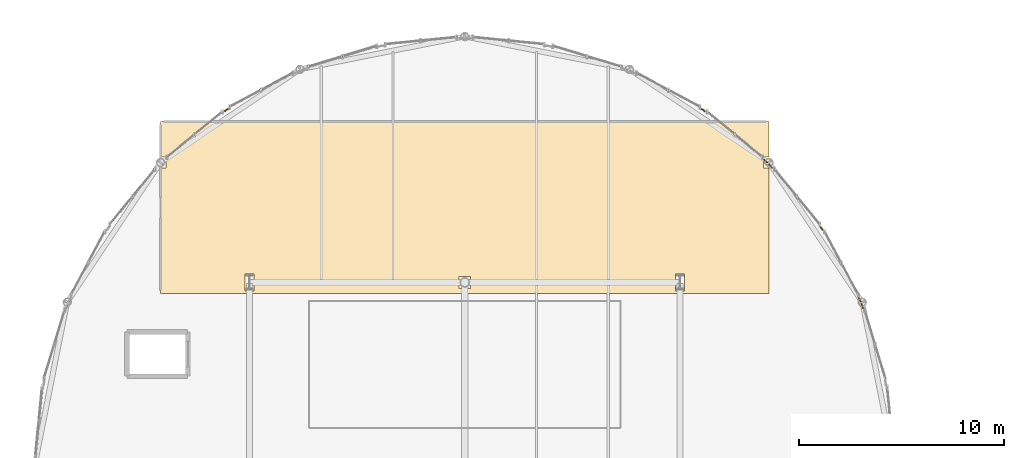
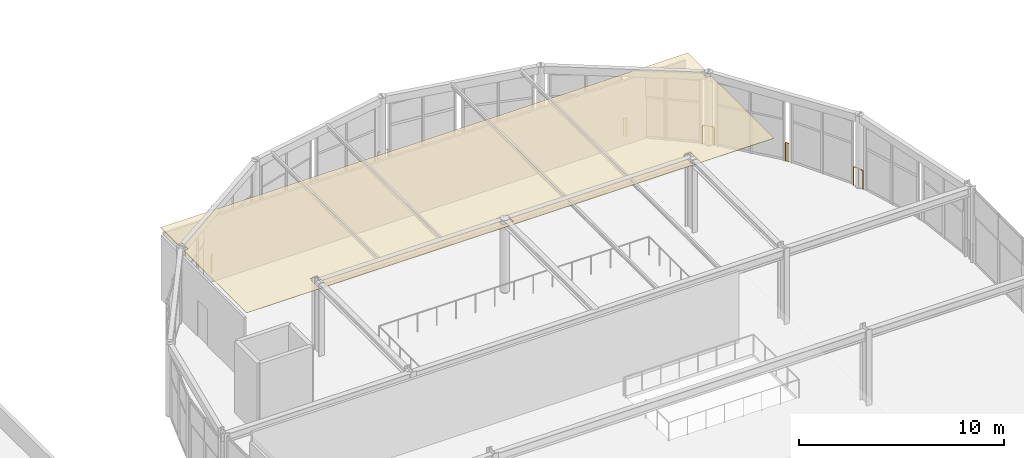
# One storey, part 95 of 105: 5 railings, 1 covering.
"""IFC4 building model written with IfcOpenShell, lengths in metres."""

from ifc_helpers import new_model, si_unit, direction, frame, origin, origin_2d, place, context, subcontext, project, spatial, polyline, circle, outline, extrude, material, layer, layer_set, type_object, element, save


model = new_model("IFC4")

# Units and contexts
model_context = context("Model", 3, precision=1e-05, world=origin(), true_north=direction((0.0, 1.0)))
body_context = subcontext(model_context, "Body", "Model", "MODEL_VIEW")
ifc_project = project(units=[si_unit("LENGTHUNIT", "METRE"), si_unit("AREAUNIT", "SQUARE_METRE"), si_unit("VOLUMEUNIT", "CUBIC_METRE"), si_unit("PLANEANGLEUNIT", "RADIAN"), si_unit("MASSUNIT", "GRAM", prefix="KILO")], contexts=[model_context])

# Site, building, storey
site_placement = place(None, origin())
site = spatial("IfcSite", under=ifc_project, at=site_placement, CompositionType="ELEMENT")
building_placement = place(site_placement, origin())
building = spatial("IfcBuilding", under=site, at=building_placement, Name="Marlcrest Central Station", CompositionType="ELEMENT")
storey_placement = place(building_placement, frame((0.0, 0.0, 15.0)))
storey = spatial("IfcBuildingStorey", under=building, at=storey_placement, Name="L03", CompositionType="ELEMENT", Elevation=15.0)

# Covering
ifc_material_1 = material(Name="Perforated acoustic mineral-fibre ceiling")
ifc_layer = layer(ifc_material_1, 0.02490234375, Name="CV-CLG")
ifc_layer_set = layer_set([ifc_layer], Name="Perforated acoustic mineral-fibre ceiling")
covering_type = type_object("IfcCoveringType", Name="CV-CLG", PredefinedType="CEILING", material=ifc_layer_set)
covering_placement = place(storey_placement, frame((0.0, 0.0, 4.175048828125)))
element("IfcCovering", 1, at=covering_placement, inside=storey, type_object=covering_type, Name="cov-clg-0122", PredefinedType="CEILING", context=body_context, shape_type="SweptSolid", body=[
    extrude(outline(polyline([(122.5859375, 125.0859375), (122.840087890625, 125.0859375), (122.840087890625, 118.9599609375), (93.159912109375, 118.9599609375), (93.159912109375, 125.0859375), (93.4140625, 125.0859375), (93.4140625, 125.612060546875), (93.159912109375, 125.612060546875), (93.159912109375, 127.340087890625), (122.840087890625, 127.340087890625), (122.840087890625, 125.612060546875), (122.5859375, 125.612060546875), (122.5859375, 125.0859375)]), holes=[polyline([(97.2900390625, 119.090087890625), (97.7099609375, 119.090087890625), (97.7099609375, 119.909912109375), (97.2900390625, 119.909912109375), (97.2900390625, 119.090087890625)]), polyline([(107.7119140625, 119.7880859375), (107.7119140625, 119.2119140625), (108.2880859375, 119.2119140625), (108.2880859375, 119.7880859375), (107.7119140625, 119.7880859375)]), polyline([(118.7099609375, 119.909912109375), (118.2900390625, 119.909912109375), (118.2900390625, 119.090087890625), (118.7099609375, 119.090087890625), (118.7099609375, 119.909912109375)])]), origin(), (0.0, 0.0, 1.0), 0.02490234375),
])

# Railings
ifc_material_2 = material(Name="Stainless steel and laminated glass concourse balustrade", Category="steel")
railing_type = type_object("IfcRailingType", Name="GR-02", PredefinedType="BALUSTRADE", material=ifc_material_2)
railing_1_placement = place(storey_placement, frame((96.297119140625, 127.85400390625, 0.0)))
element("IfcRailing", 2, at=railing_1_placement, inside=storey, type_object=railing_type, Name="hr-L03-00457", PredefinedType="BALUSTRADE", context=body_context, shape_type="SweptSolid", body=[
    extrude(circle(Radius=0.02392578125, at=origin_2d()), frame((0.0, 0.0, 1.09619140625), z_axis=(0.770903388504, 0.636952090501, 0.0), x_axis=(-0.636952090501, 0.770903388504, 0.0)), (0.0, 0.0, 1.0), 0.08935546875),
    extrude(circle(Radius=0.02392578125, at=origin_2d()), frame((0.06884765625, 0.056884765625, 1.09619140625), z_axis=(0.885620050665, 0.464410514373, 0.0), x_axis=(-0.464410514373, 0.885620050665, 0.0)), (0.0, 0.0, 1.0), 0.09033203125),
    extrude(circle(Radius=0.02099609375, at=origin_2d()), origin(), (0.0, 0.0, 1.0), 1.072021484375),
    extrude(circle(Radius=0.02099609375, at=origin_2d()), frame((0.06884765625, 0.056884765625, 0.0)), (0.0, 0.0, 1.0), 1.072021484375),
    extrude(circle(Radius=0.02099609375, at=origin_2d()), frame((0.14892578125, 0.098876953125, 0.0)), (0.0, 0.0, 1.0), 1.072021484375),
])
railing_2_placement = place(storey_placement, frame((119.553955078125, 127.952880859375, 0.0)))
element("IfcRailing", 3, at=railing_2_placement, inside=storey, type_object=railing_type, Name="hr-L03-00463", PredefinedType="BALUSTRADE", context=body_context, shape_type="SweptSolid", body=[
    extrude(circle(Radius=0.02392578125, at=origin_2d()), frame((0.0, 0.0, 1.09619140625), z_axis=(0.885620050665, -0.464410514373, 0.0), x_axis=(0.464410514373, 0.885620050665, 0.0)), (0.0, 0.0, 1.0), 0.09033203125),
    extrude(circle(Radius=0.02392578125, at=origin_2d()), frame((0.080078125, -0.0419921875, 1.09619140625), z_axis=(0.770903388504, -0.636952090501, 0.0), x_axis=(0.636952090501, 0.770903388504, 0.0)), (0.0, 0.0, 1.0), 0.08935546875),
    extrude(circle(Radius=0.02099609375, at=origin_2d()), origin(), (0.0, 0.0, 1.0), 1.072021484375),
    extrude(circle(Radius=0.02099609375, at=origin_2d()), frame((0.080078125, -0.0419921875, 0.0)), (0.0, 0.0, 1.0), 1.072021484375),
    extrude(circle(Radius=0.02099609375, at=origin_2d()), frame((0.14892578125, -0.098876953125, 0.0)), (0.0, 0.0, 1.0), 1.072021484375),
])
railing_3_placement = place(storey_placement, frame((122.583984375, 125.489013671875, 0.0)))
element("IfcRailing", 4, at=railing_3_placement, inside=storey, type_object=railing_type, Name="hr-L03-00464", PredefinedType="BALUSTRADE", context=body_context, shape_type="SweptSolid", body=[
    extrude(circle(Radius=0.02392578125, at=origin_2d()), frame((0.0, 0.0, 1.09619140625), z_axis=(0.771342036425, -0.636420822133, 0.0), x_axis=(0.636420822133, 0.771342036425, 0.0)), (0.0, 0.0, 1.0), 0.28759765625),
    extrude(circle(Radius=0.02392578125, at=origin_2d()), frame((0.221923828125, -0.18310546875, 1.09619140625), z_axis=(0.636420822133, -0.771342036425, 0.0), x_axis=(0.771342036425, 0.636420822133, 0.0)), (0.0, 0.0, 1.0), 0.28759765625),
    extrude(circle(Radius=0.02099609375, at=origin_2d()), origin(), (0.0, 0.0, 1.0), 1.072021484375),
    extrude(circle(Radius=0.02099609375, at=origin_2d()), frame((0.221923828125, -0.18310546875, 0.0)), (0.0, 0.0, 1.0), 1.072021484375),
    extrude(circle(Radius=0.02099609375, at=origin_2d()), frame((0.405029296875, -0.405029296875, 0.0)), (0.0, 0.0, 1.0), 1.072021484375),
])
railing_4_placement = place(storey_placement, frame((125.35400390625, 122.202880859375, 0.0)))
element("IfcRailing", 5, at=railing_4_placement, inside=storey, type_object=railing_type, Name="hr-L03-00465", PredefinedType="BALUSTRADE", context=body_context, shape_type="SweptSolid", body=[
    extrude(circle(Radius=0.02392578125, at=origin_2d()), frame((0.0, 0.0, 1.09619140625), z_axis=(0.636952090501, -0.770903388504, 0.0), x_axis=(0.770903388504, 0.636952090501, 0.0)), (0.0, 0.0, 1.0), 0.08935546875),
    extrude(circle(Radius=0.02392578125, at=origin_2d()), frame((0.056884765625, -0.06884765625, 1.09619140625), z_axis=(0.464410514373, -0.885620050665, 0.0), x_axis=(0.885620050665, 0.464410514373, 0.0)), (0.0, 0.0, 1.0), 0.09033203125),
    extrude(circle(Radius=0.02099609375, at=origin_2d()), origin(), (0.0, 0.0, 1.0), 1.072021484375),
    extrude(circle(Radius=0.02099609375, at=origin_2d()), frame((0.056884765625, -0.06884765625, 0.0)), (0.0, 0.0, 1.0), 1.072021484375),
    extrude(circle(Radius=0.02099609375, at=origin_2d()), frame((0.098876953125, -0.14892578125, 0.0)), (0.0, 0.0, 1.0), 1.072021484375),
])
railing_5_placement = place(storey_placement, frame((127.2099609375, 118.76708984375, 0.0)))
element("IfcRailing", 6, at=railing_5_placement, inside=storey, type_object=railing_type, Name="hr-L03-00466", PredefinedType="BALUSTRADE", context=body_context, shape_type="SweptSolid", body=[
    extrude(circle(Radius=0.02392578125, at=origin_2d()), frame((0.0, 0.0, 1.09619140625), z_axis=(0.469134550261, -0.883126703113, 0.0), x_axis=(0.883126703113, 0.469134550261, 0.0)), (0.0, 0.0, 1.0), 0.287841796875),
    extrude(circle(Radius=0.02392578125, at=origin_2d()), frame((0.135009765625, -0.254150390625, 1.09619140625), z_axis=(0.291228991205, -0.956653372273, 0.0), x_axis=(0.956653372273, 0.291228991205, 0.0)), (0.0, 0.0, 1.0), 0.288330078125),
    extrude(circle(Radius=0.02099609375, at=origin_2d()), origin(), (0.0, 0.0, 1.0), 1.072021484375),
    extrude(circle(Radius=0.02099609375, at=origin_2d()), frame((0.135009765625, -0.254150390625, 0.0)), (0.0, 0.0, 1.0), 1.072021484375),
    extrude(circle(Radius=0.02099609375, at=origin_2d()), frame((0.218994140625, -0.530029296875, 0.0)), (0.0, 0.0, 1.0), 1.072021484375),
])

save(model, "model.ifc")
